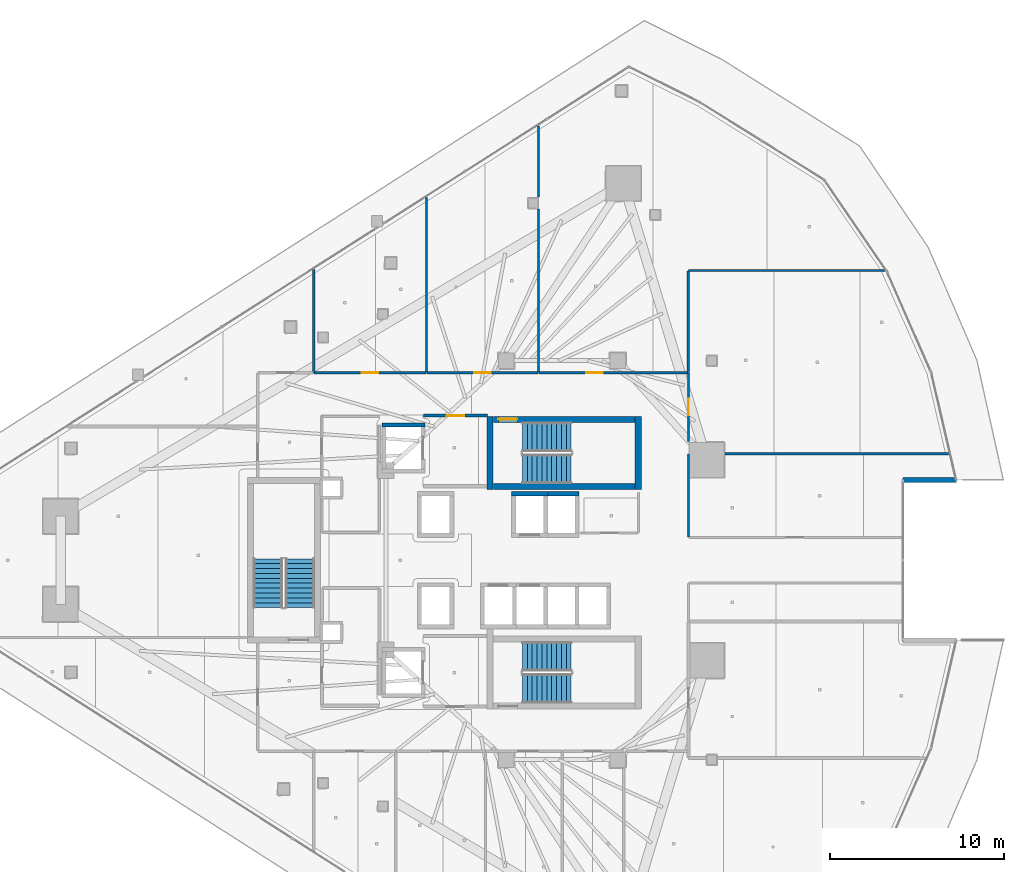
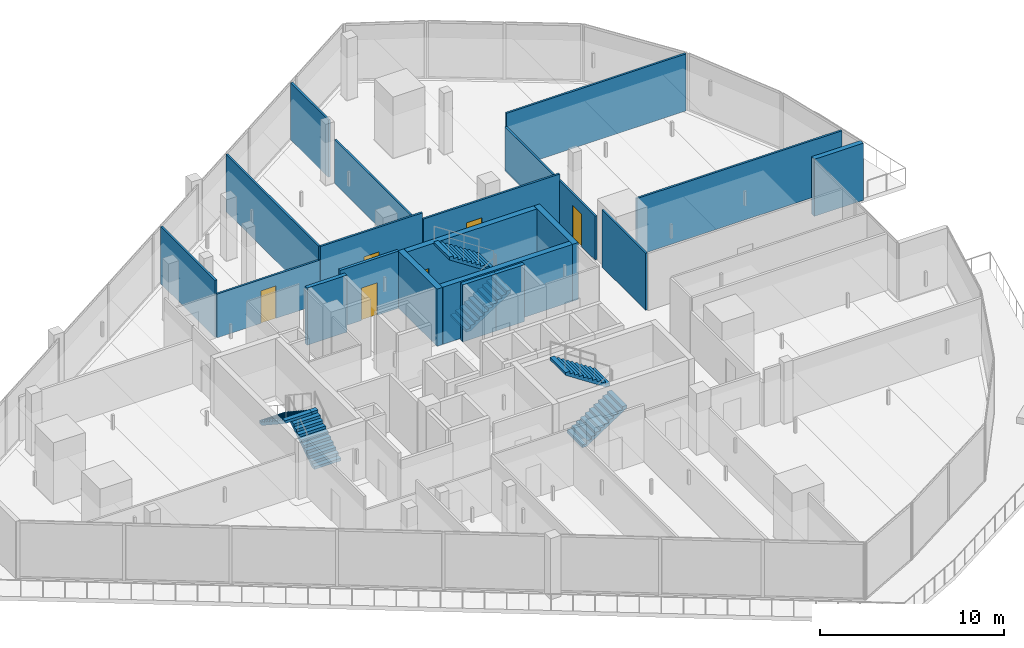
# One storey, part 27 of 37: 21 walls, 6 doors, 6 stair flights, 6 openings, 3 elements without a shape of their own.
"""IFC4 building model written with IfcOpenShell, lengths in metres."""

from ifc_helpers import new_model, si_unit, direction, frame, frame_2d, origin, place, context, subcontext, project, spatial, polyline, rectangle, outline, extrude, material, layer, layer_set, type_object, element, fill, aggregate, save


model = new_model("IFC4")

# Units and contexts
model_context = context("Model", 3, precision=1e-05, world=origin(), true_north=direction((0.0, 1.0)))
body_context = subcontext(model_context, "Body", "Model", "MODEL_VIEW")
ifc_project = project(units=[si_unit("LENGTHUNIT", "METRE"), si_unit("AREAUNIT", "SQUARE_METRE"), si_unit("VOLUMEUNIT", "CUBIC_METRE"), si_unit("PLANEANGLEUNIT", "RADIAN"), si_unit("MASSUNIT", "GRAM", prefix="KILO")], contexts=[model_context])

# Site, building, storey
site_placement = place(None, origin())
site = spatial("IfcSite", under=ifc_project, at=site_placement, CompositionType="ELEMENT")
building_placement = place(site_placement, origin())
building = spatial("IfcBuilding", under=site, at=building_placement, Name="Qorvath Tower", CompositionType="ELEMENT")
storey_placement = place(building_placement, frame((0.0, 0.0, 184.800048828125)))
storey = spatial("IfcBuildingStorey", under=building, at=storey_placement, Name="L42", CompositionType="ELEMENT", Elevation=184.800048828125)

# Wall, opening, door
ifc_material_1 = material(Name="Gypsum shaftliner on steel studs", Category="steel")
ifc_layer_1 = layer(ifc_material_1, 0.179931640625)
ifc_layer_set_1 = layer_set([ifc_layer_1], Name="FW-LOBBY")
wall_type_1 = type_object("IfcWallType", Name="FW-LOBBY", PredefinedType="PARTITIONING", material=ifc_layer_set_1)
wall_1_placement = place(storey_placement, frame((-24.68408203125, 8.300048828125, 0.0), z_axis=(0.0, 0.0, 1.0), x_axis=(-1.0, 0.0, 0.0)))
wall_1 = element("IfcWall", 1, at=wall_1_placement, inside=storey, type_object=wall_type_1, Name="Interior Partition IW-T1-L42-002", PredefinedType="PARTITIONING", context=body_context, shape_type="SweptSolid", body=[
    extrude(rectangle(XDim=3.6708984375, YDim=0.179931640625, at=frame_2d((1.83544921875, 0.0))), origin(), (0.0, 0.0, 1.0), 3.780029296875),
])
opening_1_placement = place(wall_1_placement, frame((1.33544921875, 0.0, 0.0)))
opening_1 = element("IfcOpeningElement", 2, at=opening_1_placement, cuts=wall_1, Name="Opening D-T1-L42-18", PredefinedType="OPENING", context=body_context, shape_type="SweptSolid", body=[
    extrude(rectangle(XDim=1.0, YDim=2.14990234375, at=frame_2d((0.5, 1.074951171875))), frame((0.0, 0.10009765625, 0.0), z_axis=(0.0, -1.0, 0.0), x_axis=(1.0, 0.0, 0.0)), (0.0, 0.0, 1.0), 0.199951171875),
])
ifc_material_2 = material(Name="Painted galvanised hollow metal", Category="steel")
door_type_1 = type_object("IfcDoorType", Name="FD-60", OperationType="NOTDEFINED", PredefinedType="DOOR", material=ifc_material_2)
door_1_placement = place(opening_1_placement, origin())
door_1 = element("IfcDoor", 3, at=door_1_placement, inside=storey, type_object=door_type_1, Name="Lobby Fire Service Elevator North Door D-T1-L42-18", OperationType="SINGLE_SWING_LEFT", OverallHeight=2.14990234375, OverallWidth=1.0, PredefinedType="DOOR", context=body_context, shape_type="SweptSolid", body=[
    extrude(rectangle(XDim=1.0, YDim=2.14990234375, at=frame_2d((0.5, 1.074951171875))), frame((0.0, 0.02490234375, 0.0), z_axis=(0.0, -1.0, 0.0), x_axis=(1.0, 0.0, 0.0)), (0.0, 0.0, 1.0), 0.050048828125),
])
fill(opening_1, door_1)

ifc_material_3 = material(Name="Gypsum board on metal studs with mineral wool", Category="gypsum")
ifc_layer_2 = layer(ifc_material_3, 0.125)
ifc_layer_set_2 = layer_set([ifc_layer_2], Name="IW-PART-125")
wall_type_2 = type_object("IfcWallType", Name="IW-PART-125", PredefinedType="PARTITIONING", material=ifc_layer_set_2)
wall_2_placement = place(storey_placement, frame((-34.625, 10.758056640625, 0.0), z_axis=(0.0, 0.0, 1.0), x_axis=(1.0, 0.0, 0.0)))
wall_2 = element("IfcWall", 4, at=wall_2_placement, inside=storey, type_object=wall_type_2, Name="Interior Partition IW-T1-L42-019", PredefinedType="PARTITIONING", context=body_context, shape_type="SweptSolid", body=[
    extrude(rectangle(XDim=6.4296875, YDim=0.125, at=frame_2d((3.21484375, 0.0))), origin(), (0.0, 0.0, 1.0), 2.89990234375),
])
opening_2_placement = place(wall_2_placement, frame((2.73974609375, 0.0, 0.0)))
opening_2 = element("IfcOpeningElement", 5, at=opening_2_placement, cuts=wall_2, Name="Opening D-T1-L42-04", PredefinedType="OPENING", context=body_context, shape_type="SweptSolid", body=[
    extrude(rectangle(XDim=0.949951171875, YDim=2.14990234375, at=frame_2d((0.47509765625, 1.074951171875))), frame((0.0, 0.072509765625, 0.0), z_axis=(0.0, -1.0, 0.0), x_axis=(1.0, 0.0, 0.0)), (0.0, 0.0, 1.0), 0.14501953125),
])
ifc_material_4 = material(Name="Solid-core American white oak veneer", Category="wood")
door_type_2 = type_object("IfcDoorType", Name="D-01", OperationType="NOTDEFINED", PredefinedType="DOOR", material=ifc_material_4)
door_2_placement = place(opening_2_placement, origin())
door_2 = element("IfcDoor", 6, at=door_2_placement, inside=storey, type_object=door_type_2, Name="L42-01 Project Collaboration Workspace Door D-T1-L42-04", OperationType="SINGLE_SWING_LEFT", OverallHeight=2.14990234375, OverallWidth=0.949951171875, PredefinedType="DOOR", context=body_context, shape_type="SweptSolid", body=[
    extrude(rectangle(XDim=0.949951171875, YDim=2.14990234375, at=frame_2d((0.47509765625, 1.074951171875))), frame((0.0, 0.02490234375, 0.0), z_axis=(0.0, -1.0, 0.0), x_axis=(1.0, 0.0, 0.0)), (0.0, 0.0, 1.0), 0.050048828125),
])
fill(opening_2, door_2)

# Walls
wall_3_placement = place(storey_placement, frame((-28.17041015625, 10.783203125, 0.0), z_axis=(0.0, 0.0, 1.0), x_axis=(0.0, 1.0, 0.0)))
element("IfcWall", 7, at=wall_3_placement, inside=storey, type_object=wall_type_2, Name="Interior Partition IW-T1-L42-020", PredefinedType="PARTITIONING", context=body_context, shape_type="SweptSolid", body=[
    extrude(rectangle(XDim=10.033447265625, YDim=0.125, at=frame_2d((5.0166015625, 0.0))), origin(), (0.0, 0.0, 1.0), 3.780029296875),
])
wall_4_placement = place(storey_placement, frame((-34.64990234375, 16.675537109375, 0.0), z_axis=(0.0, 0.0, 1.0), x_axis=(0.0, -1.0, 0.0)))
element("IfcWall", 8, at=wall_4_placement, inside=storey, type_object=wall_type_2, Name="Interior Partition IW-T1-L42-021", PredefinedType="PARTITIONING", context=body_context, shape_type="SweptSolid", body=[
    extrude(rectangle(XDim=5.892333984375, YDim=0.125, at=frame_2d((2.9462890625, 0.0))), origin(), (0.0, 0.0, 1.0), 3.780029296875),
])

# Wall, opening, door
wall_5_placement = place(storey_placement, frame((-28.1376953125, 10.758056640625, 0.0), z_axis=(0.0, 0.0, 1.0), x_axis=(1.0, 0.0, 0.0)))
wall_5 = element("IfcWall", 9, at=wall_5_placement, inside=storey, type_object=wall_type_2, Name="Interior Partition IW-T1-L42-022", PredefinedType="PARTITIONING", context=body_context, shape_type="SweptSolid", body=[
    extrude(rectangle(XDim=6.36328125, YDim=0.125, at=frame_2d((3.181640625, 0.0))), origin(), (0.0, 0.0, 1.0), 3.780029296875),
])
opening_3_placement = place(wall_5_placement, frame((2.70654296875, 0.0, 0.0)))
opening_3 = element("IfcOpeningElement", 10, at=opening_3_placement, cuts=wall_5, Name="Opening D-T1-L42-05", PredefinedType="OPENING", context=body_context, shape_type="SweptSolid", body=[
    extrude(rectangle(XDim=0.949951171875, YDim=2.14990234375, at=frame_2d((0.47509765625, 1.074951171875))), frame((0.0, 0.072509765625, 0.0), z_axis=(0.0, -1.0, 0.0), x_axis=(1.0, 0.0, 0.0)), (0.0, 0.0, 1.0), 0.14501953125),
])
door_3_placement = place(opening_3_placement, origin())
door_3 = element("IfcDoor", 11, at=door_3_placement, inside=storey, type_object=door_type_2, Name="L42-02 Staff Wellness Studio Door D-T1-L42-05", OperationType="SINGLE_SWING_RIGHT", OverallHeight=2.14990234375, OverallWidth=0.949951171875, PredefinedType="DOOR", context=body_context, shape_type="SweptSolid", body=[
    extrude(rectangle(XDim=0.949951171875, YDim=2.14990234375, at=frame_2d((0.47509765625, 1.074951171875))), frame((0.0, 0.02490234375, 0.0), z_axis=(0.0, -1.0, 0.0), x_axis=(1.0, 0.0, 0.0)), (0.0, 0.0, 1.0), 0.050048828125),
])
fill(opening_3, door_3)

# Walls
wall_6_placement = place(storey_placement, frame((-21.74951171875, 10.783203125, 0.0), z_axis=(0.0, 0.0, 1.0), x_axis=(0.0, 1.0, 0.0)))
element("IfcWall", 12, at=wall_6_placement, inside=storey, type_object=wall_type_2, Name="Interior Partition IW-T1-L42-023", PredefinedType="PARTITIONING", context=body_context, shape_type="SweptSolid", body=[
    extrude(rectangle(XDim=9.37158203125, YDim=0.125, at=frame_2d((4.685791015625, 0.0))), origin(), (0.0, 0.0, 1.0), 2.89501953125),
])
wall_7_placement = place(storey_placement, frame((-21.74951171875, 20.8349609375, 0.0), z_axis=(0.0, 0.0, 1.0), x_axis=(0.0, 1.0, 0.0)))
element("IfcWall", 13, at=wall_7_placement, inside=storey, type_object=wall_type_2, Name="Interior Partition IW-T1-L42-024", PredefinedType="PARTITIONING", context=body_context, shape_type="SweptSolid", body=[
    extrude(rectangle(XDim=4.08544921875, YDim=0.125, at=frame_2d((2.042724609375, 0.0))), origin(), (0.0, 0.0, 1.0), 3.780029296875),
])
wall_8_placement = place(storey_placement, frame((-13.14990234375, 10.783203125, 0.0), z_axis=(0.0, 0.0, 1.0), x_axis=(0.0, 1.0, 0.0)))
element("IfcWall", 14, at=wall_8_placement, inside=storey, type_object=wall_type_2, Name="Interior Partition IW-T1-L42-025", PredefinedType="PARTITIONING", context=body_context, shape_type="SweptSolid", body=[
    extrude(rectangle(XDim=5.8125, YDim=0.125, at=frame_2d((2.90625, 0.0))), origin(), (0.0, 0.0, 1.0), 2.89990234375),
])
wall_9_placement = place(storey_placement, frame((-13.125, 16.620849609375, 0.0), z_axis=(0.0, 0.0, 1.0), x_axis=(0.999999660387, 0.000824151711, 0.0)))
element("IfcWall", 15, at=wall_9_placement, inside=storey, type_object=wall_type_2, Name="Interior Partition IW-T1-L42-026", PredefinedType="PARTITIONING", context=body_context, shape_type="SweptSolid", body=[
    extrude(rectangle(XDim=11.2568359375, YDim=0.125, at=frame_2d((5.62841796875, 0.0))), origin(), (0.0, 0.0, 1.0), 3.780029296875),
])

# Wall, opening, door
wall_10_placement = place(storey_placement, frame((-21.716796875, 10.758056640625, 0.0), z_axis=(0.0, 0.0, 1.0), x_axis=(1.0, 0.0, 0.0)))
wall_10 = element("IfcWall", 16, at=wall_10_placement, inside=storey, type_object=wall_type_2, Name="Interior Partition IW-T1-L42-027", PredefinedType="PARTITIONING", context=body_context, shape_type="SweptSolid", body=[
    extrude(rectangle(XDim=8.5419921875, YDim=0.125, at=frame_2d((4.27099609375, 0.0))), origin(), (0.0, 0.0, 1.0), 3.34423828125),
])
opening_4_placement = place(wall_10_placement, frame((2.71142578125, 0.0, 0.0)))
opening_4 = element("IfcOpeningElement", 17, at=opening_4_placement, cuts=wall_10, Name="Opening D-T1-L42-06", PredefinedType="OPENING", context=body_context, shape_type="SweptSolid", body=[
    extrude(rectangle(XDim=0.949951171875, YDim=2.14990234375, at=frame_2d((0.47509765625, 1.074951171875))), frame((0.0, 0.072509765625, 0.0), z_axis=(0.0, -1.0, 0.0), x_axis=(1.0, 0.0, 0.0)), (0.0, 0.0, 1.0), 0.14501953125),
])
door_4_placement = place(opening_4_placement, origin())
door_4 = element("IfcDoor", 18, at=door_4_placement, inside=storey, type_object=door_type_2, Name="L42-03 Design Pin-Up Atelier Door D-T1-L42-06", OperationType="SINGLE_SWING_LEFT", OverallHeight=2.14990234375, OverallWidth=0.949951171875, PredefinedType="DOOR", context=body_context, shape_type="SweptSolid", body=[
    extrude(rectangle(XDim=0.949951171875, YDim=2.14990234375, at=frame_2d((0.47509765625, 1.074951171875))), frame((0.0, 0.02490234375, 0.0), z_axis=(0.0, -1.0, 0.0), x_axis=(1.0, 0.0, 0.0)), (0.0, 0.0, 1.0), 0.050048828125),
])
fill(opening_4, door_4)

# Walls
wall_11_placement = place(storey_placement, frame((1.798828125, 6.10888671875, 0.0), z_axis=(0.0, 0.0, 1.0), x_axis=(-1.0, 0.0, 0.0)))
element("IfcWall", 19, at=wall_11_placement, inside=storey, type_object=wall_type_2, Name="Interior Partition IW-T1-L42-043", PredefinedType="PARTITIONING", context=body_context, shape_type="SweptSolid", body=[
    extrude(rectangle(XDim=12.83056640625, YDim=0.125, at=frame_2d((6.415283203125, 0.0))), origin(), (0.0, 0.0, 1.0), 3.780029296875),
])
wall_12_placement = place(storey_placement, frame((-13.14208984375, 6.083984375, 0.0), z_axis=(0.0, 0.0, 1.0), x_axis=(0.0, -1.0, 0.0)))
element("IfcWall", 20, at=wall_12_placement, inside=storey, type_object=wall_type_2, Name="Interior Partition IW-T1-L42-044", PredefinedType="PARTITIONING", context=body_context, shape_type="SweptSolid", body=[
    extrude(rectangle(XDim=4.7509765625, YDim=0.125, at=frame_2d((2.37548828125, 0.0))), origin(), (0.0, 0.0, 1.0), 3.780029296875),
])

# Wall, opening, door
wall_13_placement = place(storey_placement, frame((-13.1376953125, 10.75830078125, 0.0), z_axis=(0.0, 0.0, 1.0), x_axis=(0.000806501382, -0.999999674778, 0.0)))
wall_13 = element("IfcWall", 21, at=wall_13_placement, inside=storey, type_object=wall_type_2, Name="Interior Partition IW-T1-L42-048", PredefinedType="PARTITIONING", context=body_context, shape_type="SweptSolid", body=[
    extrude(rectangle(XDim=3.935302734375, YDim=0.125, at=frame_2d((1.9677734375, 0.0))), origin(), (0.0, 0.0, 1.0), 2.89990234375),
])
opening_5_placement = place(wall_13_placement, frame((1.49267578125, 0.0, 0.0)))
opening_5 = element("IfcOpeningElement", 22, at=opening_5_placement, cuts=wall_13, Name="Opening D-T1-L42-14", PredefinedType="OPENING", context=body_context, shape_type="SweptSolid", body=[
    extrude(rectangle(XDim=0.949951171875, YDim=2.14990234375, at=frame_2d((0.47509765625, 1.074951171875))), frame((0.0, 0.072509765625, 0.0), z_axis=(0.0, -1.0, 0.0), x_axis=(1.0, 0.0, 0.0)), (0.0, 0.0, 1.0), 0.14501953125),
])
door_5_placement = place(opening_5_placement, origin())
door_5 = element("IfcDoor", 23, at=door_5_placement, inside=storey, type_object=door_type_2, Name="L42-11 Staff Refreshment Pantry and Coffee Bar Door D-T1-L42-14", OperationType="SINGLE_SWING_LEFT", OverallHeight=2.14990234375, OverallWidth=0.949951171875, PredefinedType="DOOR", context=body_context, shape_type="SweptSolid", body=[
    extrude(rectangle(XDim=0.949951171875, YDim=2.14990234375, at=frame_2d((0.47509765625, 1.074951171875))), frame((0.0, 0.02490234375, 0.0), z_axis=(0.0, -1.0, 0.0), x_axis=(1.0, 0.0, 0.0)), (0.0, 0.0, 1.0), 0.050048828125),
])
fill(opening_5, door_5)

# Walls
ifc_material_5 = material(Name="Concrete C60/75", Category="concrete")
ifc_layer_3 = layer(ifc_material_5, 0.260009765625)
ifc_layer_set_3 = layer_set([ifc_layer_3], Name="SW-SHAFT")
wall_type_3 = type_object("IfcWallType", Name="SW-SHAFT", PredefinedType="SHEAR", material=ifc_layer_set_3)
wall_14_placement = place(storey_placement, frame((-30.739990234375, 7.77001953125, 0.0), z_axis=(0.0, 0.0, 1.0), x_axis=(1.0, 0.0, 0.0)))
element("IfcWall", 24, at=wall_14_placement, inside=storey, type_object=wall_type_3, Name="Hoistway Wall FSAE-1 L42 N", PredefinedType="SHEAR", context=body_context, shape_type="SweptSolid", body=[
    extrude(rectangle(XDim=2.47998046875, YDim=0.239990234375, at=frame_2d((1.239990234375, 0.0))), origin(), (0.0, 0.0, 1.0), 3.780029296875),
])
wall_15_placement = place(storey_placement, frame((-23.2900390625, 3.820068359375, 0.0), z_axis=(0.0, 0.0, 1.0), x_axis=(1.0, 0.0, 0.0)))
element("IfcWall", 25, at=wall_15_placement, inside=storey, type_object=wall_type_3, Name="Hoistway Wall PU-1 L42 N", PredefinedType="SHEAR", context=body_context, shape_type="SweptSolid", body=[
    extrude(rectangle(XDim=2.080078125, YDim=0.239990234375, at=frame_2d((1.0400390625, 0.0))), origin(), (0.0, 0.0, 1.0), 3.780029296875),
])
wall_16_placement = place(storey_placement, frame((-21.2099609375, 3.820068359375, 0.0), z_axis=(0.0, 0.0, 1.0), x_axis=(1.0, 0.0, 0.0)))
element("IfcWall", 26, at=wall_16_placement, inside=storey, type_object=wall_type_3, Name="Hoistway Wall PM-1 L42 N", PredefinedType="SHEAR", context=body_context, shape_type="SweptSolid", body=[
    extrude(rectangle(XDim=1.800048828125, YDim=0.239990234375, at=frame_2d((0.89990234375, 0.0))), origin(), (0.0, 0.0, 1.0), 3.780029296875),
])
ifc_material_6 = material(Name="Concrete C60/75", Category="concrete")
ifc_layer_4 = layer(ifc_material_6, 0.35009765625)
ifc_layer_set_4 = layer_set([ifc_layer_4], Name="SW-STAIR")
wall_type_4 = type_object("IfcWallType", Name="SW-STAIR", PredefinedType="SHEAR", material=ifc_layer_set_4)
for number, where, z_axis, x_axis, name in (
    (27, (-24.52490234375, 8.260009765625, 0.0), (0.0, 0.0, 1.0), (0.0, -1.0, 0.0), "Stair TS1 Shear Wall L42 NEAR"),
    (28, (-16.02490234375, 4.050048828125, 0.0), (0.0, 0.0, 1.0), (0.0, 1.0, 0.0), "Stair TS1 Shear Wall L42 FAR"),
):
    element("IfcWall", number, at=place(storey_placement, frame(where, z_axis=z_axis, x_axis=x_axis)), inside=storey, type_object=wall_type_4, Name=name, PredefinedType="SHEAR", context=body_context, shape_type="SweptSolid", body=[
        extrude(rectangle(XDim=4.2099609375, YDim=0.35009765625, at=frame_2d((2.10498046875, 0.0))), origin(), (0.0, 0.0, 1.0), 3.780029296875),
    ])
wall_17_placement = place(storey_placement, frame((-24.3349609375, 4.22509765625, 0.0), z_axis=(0.0, 0.0, 1.0), x_axis=(1.0, 0.0, 0.0)))
element("IfcWall", 29, at=wall_17_placement, inside=storey, type_object=wall_type_4, Name="Stair TS1 Shear Wall L42 LEFT", PredefinedType="SHEAR", context=body_context, shape_type="SweptSolid", body=[
    extrude(rectangle(XDim=8.119873046875, YDim=0.35009765625, at=frame_2d((4.06005859375, 0.0))), origin(), (0.0, 0.0, 1.0), 3.780029296875),
])

# Wall, opening, door
wall_18_placement = place(storey_placement, frame((-16.215087890625, 8.0849609375, 0.0), z_axis=(0.0, 0.0, 1.0), x_axis=(-1.0, 0.0, 0.0)))
wall_18 = element("IfcWall", 30, at=wall_18_placement, inside=storey, type_object=wall_type_4, Name="Stair TS1 Shear Wall L42 RIGHT", PredefinedType="SHEAR", context=body_context, shape_type="SweptSolid", body=[
    extrude(rectangle(XDim=8.119873046875, YDim=0.35009765625, at=frame_2d((4.06005859375, 0.0))), origin(), (0.0, 0.0, 1.0), 3.780029296875),
])
opening_6_placement = place(wall_18_placement, frame((6.739990234375, 0.0, 0.0)))
opening_6 = element("IfcOpeningElement", 31, at=opening_6_placement, cuts=wall_18, Name="Opening D-TS1-L42", PredefinedType="OPENING", context=body_context, shape_type="SweptSolid", body=[
    extrude(rectangle(XDim=1.10009765625, YDim=2.199951171875, at=frame_2d((0.550048828125, 1.10009765625))), frame((0.0, 0.18505859375, 0.0), z_axis=(0.0, -1.0, 0.0), x_axis=(1.0, 0.0, 0.0)), (0.0, 0.0, 1.0), 0.3701171875),
])
ifc_material_7 = material(Name="Painted galvanised hollow metal", Category="steel")
door_type_3 = type_object("IfcDoorType", Name="FD-90", OperationType="NOTDEFINED", PredefinedType="DOOR", material=ifc_material_7)
door_6_placement = place(opening_6_placement, origin())
door_6 = element("IfcDoor", 32, at=door_6_placement, inside=storey, type_object=door_type_3, Name="Stair TS1 Fire Door L42", OperationType="SINGLE_SWING_LEFT", OverallHeight=2.199951171875, OverallWidth=1.10009765625, PredefinedType="DOOR", context=body_context, shape_type="SweptSolid", body=[
    extrude(rectangle(XDim=1.10009765625, YDim=2.199951171875, at=frame_2d((0.550048828125, 1.10009765625))), frame((0.0, 0.02490234375, 0.0), z_axis=(0.0, -1.0, 0.0), x_axis=(1.0, 0.0, 0.0)), (0.0, 0.0, 1.0), 0.050048828125),
])
fill(opening_6, door_6)

# Wall
ifc_material_8 = material(Name="Precast concrete C45/55", Category="concrete")
ifc_layer_5 = layer(ifc_material_8, 0.300048828125)
ifc_layer_set_5 = layer_set([ifc_layer_5], Name="WL-EW-LOG-300")
wall_type_5 = type_object("IfcWallType", Name="WL-EW-LOG-300", PredefinedType="SOLIDWALL", material=ifc_layer_set_5)
wall_19_placement = place(storey_placement, frame((-0.83837890625, 4.600830078125, 0.0), z_axis=(0.0, 0.0, 1.0), x_axis=(1.0, 0.0, 0.0)))
element("IfcWall", 33, at=wall_19_placement, inside=storey, type_object=wall_type_5, Name="Tower Precast Loggia Wall L42-10.1", PredefinedType="SOLIDWALL", context=body_context, shape_type="SweptSolid", body=[
    extrude(rectangle(XDim=3.0673828125, YDim=0.300048828125, at=frame_2d((1.53369140625, 0.0))), origin(), (0.0, 0.0, 1.0), 3.780029296875),
])

# Stair, stair flights
ifc_material_9 = material(Name="Concrete C50/60", Category="concrete")
stair_type = type_object("IfcStairType", Name="ST-H405", PredefinedType="HALF_TURN_STAIR", material=ifc_material_9)
stair_1_placement = place(storey_placement, origin())
stair_1 = element("IfcStair", 34, at=stair_1_placement, inside=storey, type_object=stair_type, Name="L42 Tower Exit Stair 1", PredefinedType="HALF_TURN_STAIR")
ifc_material_10 = material(Name="Concrete C50/60", Category="concrete")
ifc_layer_6 = layer(ifc_material_10, 0.14990234375)
ifc_layer_set_6 = layer_set([ifc_layer_6], Name="SF-H405")
stair_flight_type = type_object("IfcStairFlightType", Name="SF-H405", PredefinedType="STRAIGHT", material=ifc_layer_set_6)
stair_flight_1_placement = place(storey_placement, frame((-22.669921875, 5.239990234375, 0.0), z_axis=(0.0, 0.0, 1.0), x_axis=(1.0, 0.0, 0.0)))
stair_flight_1 = element("IfcStairFlight", 35, at=stair_flight_1_placement, type_object=stair_flight_type, Name="TS1 flight 1", NumberOfRisers=11, NumberOfTreads=10, PredefinedType="STRAIGHT", RiserHeight=0.184090909, TreadLength=0.28, context=body_context, shape_type="SweptSolid", body=[
    extrude(outline(polyline([(0.0, 0.0), (0.0, 0.18408203125), (0.280029296875, 0.18408203125), (0.280029296875, 0.3681640625), (0.56005859375, 0.3681640625), (0.56005859375, 0.55224609375), (0.840087890625, 0.55224609375), (0.840087890625, 0.736328125), (1.1201171875, 0.736328125), (1.1201171875, 0.92041015625), (1.39990234375, 0.92041015625), (1.39990234375, 1.1044921875), (1.679931640625, 1.1044921875), (1.679931640625, 1.28857421875), (1.9599609375, 1.28857421875), (1.9599609375, 1.47265625), (2.239990234375, 1.47265625), (2.239990234375, 1.65673828125), (2.52001953125, 1.65673828125), (2.52001953125, 1.8408203125), (2.800048828125, 1.8408203125), (2.800048828125, 2.02490234375), (2.800048828125, 1.66162109375), (0.27294921875, 0.0), (0.0, 0.0)])), frame((0.0, 0.83984375, 0.0), z_axis=(0.0, -1.0, 0.0), x_axis=(1.0, 0.0, 0.0)), (0.0, 0.0, 1.0), 1.679931640625),
])
stair_flight_2_placement = place(storey_placement, frame((-19.8701171875, 7.070068359375, 2.02490234375), z_axis=(0.0, 0.0, 1.0), x_axis=(-1.0, 0.0, 0.0)))
stair_flight_2 = element("IfcStairFlight", 36, at=stair_flight_2_placement, type_object=stair_flight_type, Name="TS1 flight 2", NumberOfRisers=11, NumberOfTreads=10, PredefinedType="STRAIGHT", RiserHeight=0.184090909, TreadLength=0.28, context=body_context, shape_type="SweptSolid", body=[
    extrude(outline(polyline([(0.0, 0.0), (0.0, 0.18408203125), (0.280029296875, 0.18408203125), (0.280029296875, 0.3681640625), (0.56005859375, 0.3681640625), (0.56005859375, 0.55224609375), (0.840087890625, 0.55224609375), (0.840087890625, 0.736328125), (1.1201171875, 0.736328125), (1.1201171875, 0.92041015625), (1.39990234375, 0.92041015625), (1.39990234375, 1.1044921875), (1.679931640625, 1.1044921875), (1.679931640625, 1.28857421875), (1.9599609375, 1.28857421875), (1.9599609375, 1.47265625), (2.239990234375, 1.47265625), (2.239990234375, 1.65673828125), (2.52001953125, 1.65673828125), (2.52001953125, 1.8408203125), (2.800048828125, 1.8408203125), (2.800048828125, 2.02490234375), (2.800048828125, 1.66162109375), (0.27294921875, 0.0), (0.0, 0.0)])), frame((0.0, 0.83984375, 0.0), z_axis=(0.0, -1.0, 0.0), x_axis=(1.0, 0.0, 0.0)), (0.0, 0.0, 1.0), 1.679931640625),
])
aggregate(stair_1, [stair_flight_1, stair_flight_2])

stair_2_placement = place(storey_placement, origin())
stair_2 = element("IfcStair", 37, at=stair_2_placement, inside=storey, type_object=stair_type, Name="L42 Tower Exit Stair 2", PredefinedType="HALF_TURN_STAIR")
stair_flight_3_placement = place(storey_placement, frame((-22.669921875, -7.360107421875, 0.0), z_axis=(0.0, 0.0, 1.0), x_axis=(1.0, 0.0, 0.0)))
stair_flight_3 = element("IfcStairFlight", 38, at=stair_flight_3_placement, type_object=stair_flight_type, Name="TS2 flight 1", NumberOfRisers=11, NumberOfTreads=10, PredefinedType="STRAIGHT", RiserHeight=0.184090909, TreadLength=0.28, context=body_context, shape_type="SweptSolid", body=[
    extrude(outline(polyline([(0.0, 0.0), (0.0, 0.18408203125), (0.280029296875, 0.18408203125), (0.280029296875, 0.3681640625), (0.56005859375, 0.3681640625), (0.56005859375, 0.55224609375), (0.840087890625, 0.55224609375), (0.840087890625, 0.736328125), (1.1201171875, 0.736328125), (1.1201171875, 0.92041015625), (1.39990234375, 0.92041015625), (1.39990234375, 1.1044921875), (1.679931640625, 1.1044921875), (1.679931640625, 1.28857421875), (1.9599609375, 1.28857421875), (1.9599609375, 1.47265625), (2.239990234375, 1.47265625), (2.239990234375, 1.65673828125), (2.52001953125, 1.65673828125), (2.52001953125, 1.8408203125), (2.800048828125, 1.8408203125), (2.800048828125, 2.02490234375), (2.800048828125, 1.66162109375), (0.27294921875, 0.0), (0.0, 0.0)])), frame((0.0, 0.83984375, 0.0), z_axis=(0.0, -1.0, 0.0), x_axis=(1.0, 0.0, 0.0)), (0.0, 0.0, 1.0), 1.679931640625),
])
stair_flight_4_placement = place(storey_placement, frame((-19.8701171875, -5.530029296875, 2.02490234375), z_axis=(0.0, 0.0, 1.0), x_axis=(-1.0, 0.0, 0.0)))
stair_flight_4 = element("IfcStairFlight", 39, at=stair_flight_4_placement, type_object=stair_flight_type, Name="TS2 flight 2", NumberOfRisers=11, NumberOfTreads=10, PredefinedType="STRAIGHT", RiserHeight=0.184090909, TreadLength=0.28, context=body_context, shape_type="SweptSolid", body=[
    extrude(outline(polyline([(0.0, 0.0), (0.0, 0.18408203125), (0.280029296875, 0.18408203125), (0.280029296875, 0.3681640625), (0.56005859375, 0.3681640625), (0.56005859375, 0.55224609375), (0.840087890625, 0.55224609375), (0.840087890625, 0.736328125), (1.1201171875, 0.736328125), (1.1201171875, 0.92041015625), (1.39990234375, 0.92041015625), (1.39990234375, 1.1044921875), (1.679931640625, 1.1044921875), (1.679931640625, 1.28857421875), (1.9599609375, 1.28857421875), (1.9599609375, 1.47265625), (2.239990234375, 1.47265625), (2.239990234375, 1.65673828125), (2.52001953125, 1.65673828125), (2.52001953125, 1.8408203125), (2.800048828125, 1.8408203125), (2.800048828125, 2.02490234375), (2.800048828125, 1.66162109375), (0.27294921875, 0.0), (0.0, 0.0)])), frame((0.0, 0.83984375, 0.0), z_axis=(0.0, -1.0, 0.0), x_axis=(1.0, 0.0, 0.0)), (0.0, 0.0, 1.0), 1.679931640625),
])
aggregate(stair_2, [stair_flight_3, stair_flight_4])

stair_3_placement = place(storey_placement, origin())
stair_3 = element("IfcStair", 40, at=stair_3_placement, inside=storey, type_object=stair_type, Name="L42 Tower Exit Stair 3", PredefinedType="HALF_TURN_STAIR")
stair_flight_5_placement = place(storey_placement, frame((-35.43994140625, -2.719970703125, 0.0), z_axis=(0.0, 0.0, 1.0), x_axis=(0.0, 1.0, 0.0)))
stair_flight_5 = element("IfcStairFlight", 41, at=stair_flight_5_placement, type_object=stair_flight_type, Name="TS3 flight 1", NumberOfRisers=11, NumberOfTreads=10, PredefinedType="STRAIGHT", RiserHeight=0.184090909, TreadLength=0.28, context=body_context, shape_type="SweptSolid", body=[
    extrude(outline(polyline([(0.0, 0.0), (0.0, 0.18408203125), (0.280029296875, 0.18408203125), (0.280029296875, 0.3681640625), (0.56005859375, 0.3681640625), (0.56005859375, 0.55224609375), (0.840087890625, 0.55224609375), (0.840087890625, 0.736328125), (1.1201171875, 0.736328125), (1.1201171875, 0.92041015625), (1.39990234375, 0.92041015625), (1.39990234375, 1.1044921875), (1.679931640625, 1.1044921875), (1.679931640625, 1.28857421875), (1.9599609375, 1.28857421875), (1.9599609375, 1.47265625), (2.239990234375, 1.47265625), (2.239990234375, 1.65673828125), (2.52001953125, 1.65673828125), (2.52001953125, 1.8408203125), (2.800048828125, 1.8408203125), (2.800048828125, 2.02490234375), (2.800048828125, 1.66162109375), (0.27294921875, 0.0), (0.0, 0.0)])), frame((0.0, 0.83984375, 0.0), z_axis=(0.0, -1.0, 0.0), x_axis=(1.0, 0.0, 0.0)), (0.0, 0.0, 1.0), 1.679931640625),
])
stair_flight_6_placement = place(storey_placement, frame((-37.27001953125, 0.080078125, 2.02490234375), z_axis=(0.0, 0.0, 1.0), x_axis=(0.0, -1.0, 0.0)))
stair_flight_6 = element("IfcStairFlight", 42, at=stair_flight_6_placement, type_object=stair_flight_type, Name="TS3 flight 2", NumberOfRisers=11, NumberOfTreads=10, PredefinedType="STRAIGHT", RiserHeight=0.184090909, TreadLength=0.28, context=body_context, shape_type="SweptSolid", body=[
    extrude(outline(polyline([(0.0, 0.0), (0.0, 0.18408203125), (0.280029296875, 0.18408203125), (0.280029296875, 0.3681640625), (0.56005859375, 0.3681640625), (0.56005859375, 0.55224609375), (0.840087890625, 0.55224609375), (0.840087890625, 0.736328125), (1.1201171875, 0.736328125), (1.1201171875, 0.92041015625), (1.39990234375, 0.92041015625), (1.39990234375, 1.1044921875), (1.679931640625, 1.1044921875), (1.679931640625, 1.28857421875), (1.9599609375, 1.28857421875), (1.9599609375, 1.47265625), (2.239990234375, 1.47265625), (2.239990234375, 1.65673828125), (2.52001953125, 1.65673828125), (2.52001953125, 1.8408203125), (2.800048828125, 1.8408203125), (2.800048828125, 2.02490234375), (2.800048828125, 1.66162109375), (0.27294921875, 0.0), (0.0, 0.0)])), frame((0.0, 0.83984375, 0.0), z_axis=(0.0, -1.0, 0.0), x_axis=(1.0, 0.0, 0.0)), (0.0, 0.0, 1.0), 1.679931640625),
])
aggregate(stair_3, [stair_flight_5, stair_flight_6])

save(model, "model.ifc")
